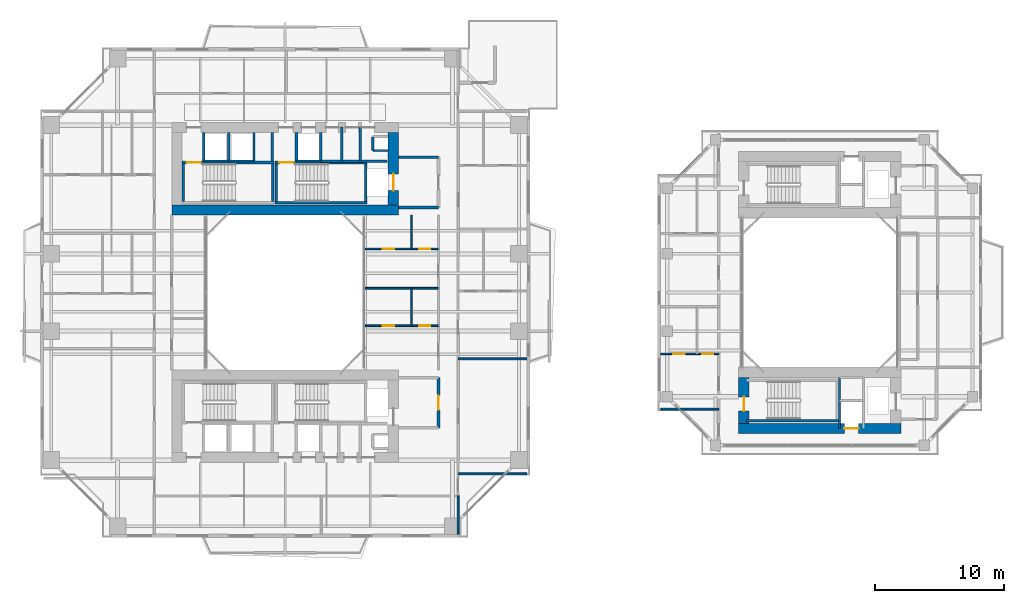
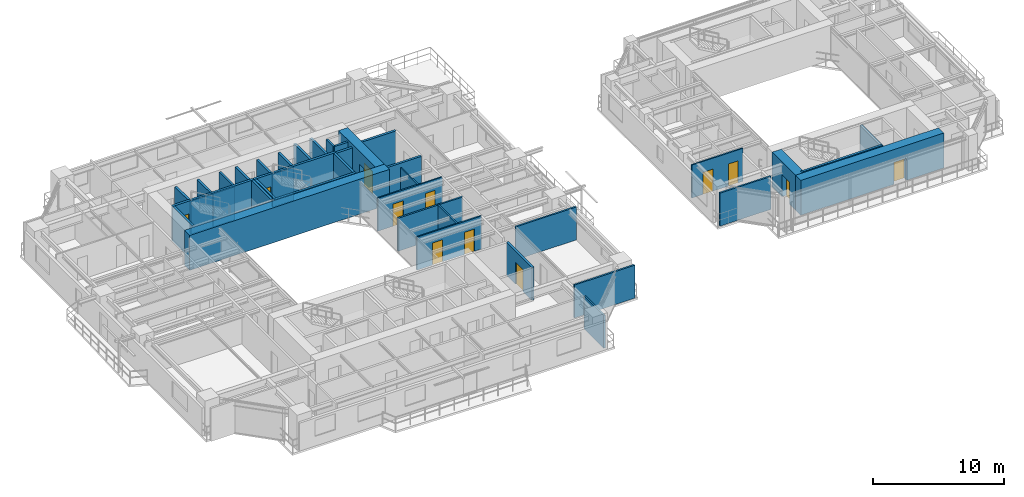
# One storey, part 14 of 23: 40 walls, 12 doors, 12 openings.
"""IFC4 building model written with IfcOpenShell, lengths in metres."""

from ifc_helpers import new_model, si_unit, direction, frame, frame_2d, origin, place, context, subcontext, project, spatial, rectangle, extrude, source, transform, mapped, material, layer, layer_set, type_object, element, fill, save


model = new_model("IFC4")

# Units and contexts
model_context = context("Model", 3, precision=1e-05, world=origin(), true_north=direction((0.0, 1.0)))
body_context = subcontext(model_context, "Body", "Model", "MODEL_VIEW")
ifc_project = project(units=[si_unit("LENGTHUNIT", "METRE"), si_unit("AREAUNIT", "SQUARE_METRE"), si_unit("VOLUMEUNIT", "CUBIC_METRE"), si_unit("PLANEANGLEUNIT", "RADIAN"), si_unit("MASSUNIT", "GRAM", prefix="KILO"), si_unit("THERMODYNAMICTEMPERATUREUNIT", "KELVIN"), si_unit("POWERUNIT", "WATT")], contexts=[model_context])

# Site, building, storey
site_placement = place(None, origin())
site = spatial("IfcSite", under=ifc_project, at=site_placement, CompositionType="ELEMENT")
building_placement = place(site_placement, origin())
building = spatial("IfcBuilding", under=site, at=building_placement, Name="Qiaomeng Ring Towers", CompositionType="ELEMENT")
storey_placement = place(building_placement, frame((0.0, 0.0, 82.75)))
storey = spatial("IfcBuildingStorey", under=building, at=storey_placement, Name="L23", CompositionType="ELEMENT", Elevation=82.75)

# Walls
ifc_material_1 = material(Name="Autoclaved aerated concrete block", Category="concrete")
ifc_layer_1 = layer(ifc_material_1, 0.199951171875, Name="Autoclaved aerated concrete block")
ifc_layer_set_1 = layer_set([ifc_layer_1], Name="Autoclaved aerated concrete block")
wall_type_1 = type_object("IfcWallType", Name="ARC-WL-PW1", PredefinedType="PARTITIONING", material=ifc_layer_set_1)
for number, where, z_axis, x_axis, name in (
    (1, (27.800048828125, 29.60009765625, 0.0), (0.0, 0.0, 1.0), (1.0, 0.0, 0.0), "L23 Interior Wall PW1"),
    (2, (27.800048828125, 33.5, 0.0), (0.0, 0.0, 1.0), (1.0, 0.0, 0.0), "L23 Interior Wall PW1"),
):
    element("IfcWall", number, at=place(storey_placement, frame(where, z_axis=z_axis, x_axis=x_axis)), inside=storey, type_object=wall_type_1, Name=name, PredefinedType="PARTITIONING", context=body_context, shape_type="SweptSolid", body=[
        extrude(rectangle(XDim=3.099853515625, YDim=0.199951171875, at=frame_2d((1.5498046875, 0.0))), origin(), (0.0, 0.0, 1.0), 3.070068359375),
    ])

# Wall, opening, door
wall_1_placement = place(storey_placement, frame((30.89990234375, 12.5, 0.0), z_axis=(0.0, 0.0, 1.0), x_axis=(0.0, 1.0, 0.0)))
wall_1 = element("IfcWall", 3, at=wall_1_placement, inside=storey, type_object=wall_type_1, Name="L23 Interior Wall PW1", PredefinedType="PARTITIONING", context=body_context, shape_type="SweptSolid", body=[
    extrude(rectangle(XDim=3.89990234375, YDim=0.199951171875, at=frame_2d((1.949951171875, 0.0))), origin(), (0.0, 0.0, 1.0), 3.070068359375),
])
opening_1_placement = place(wall_1_placement, frame((1.39990234375, 0.0, 0.0)))
opening_1 = element("IfcOpeningElement", 4, at=opening_1_placement, cuts=wall_1, Name="Opening FD3", PredefinedType="OPENING", context=body_context, shape_type="SweptSolid", body=[
    extrude(rectangle(XDim=1.10009765625, YDim=2.050048828125, at=frame_2d((0.550048828125, 1.02490234375))), frame((0.0, 0.10986328125, 0.0), z_axis=(0.0, -1.0, 0.0), x_axis=(1.0, 0.0, 0.0)), (0.0, 0.0, 1.0), 0.219970703125),
])
ifc_material_2 = material(Name="Galvanised steel", Category="steel")
door_type_1 = type_object("IfcDoorType", Name="ARC-DR-FD3", OperationType="NOTDEFINED", PredefinedType="DOOR", material=ifc_material_2)
shared_shape_1 = source(origin(), body_context, "Body", "SweptSolid", [
    extrude(rectangle(XDim=1.10009765625, YDim=2.050048828125, at=frame_2d((0.550048828125, 1.02490234375))), frame((0.0, 0.02490234375, 0.0), z_axis=(0.0, -1.0, 0.0), x_axis=(1.0, 0.0, 0.0)), (0.0, 0.0, 1.0), 0.050048828125),
])
door_1_placement = place(opening_1_placement, origin())
door_1 = element("IfcDoor", 5, at=door_1_placement, inside=storey, type_object=door_type_1, Name="L23 South FF Lobby Door", OperationType="SINGLE_SWING_RIGHT", OverallHeight=2.050048828125, OverallWidth=1.10009765625, PredefinedType="DOOR", context=body_context, shape_type="MappedRepresentation", body=[
    mapped(shared_shape_1, transform((0.0, 0.0, 0.0), x_axis=(1.0, 0.0, 0.0), y_axis=(0.0, 1.0, 0.0), z_axis=(0.0, 0.0, 1.0), scale=1.0)),
])
fill(opening_1, door_1)

# Walls
for number, where, z_axis, x_axis, name in (
    (6, (12.679931640625, 33.18994140625, 0.0), (0.0, 0.0, 1.0), (0.0, 1.0, 0.0), "L23 Interior Wall PW1"),
    (7, (18.0, 33.18994140625, 0.0), (0.0, 0.0, 1.0), (0.0, 1.0, 0.0), "L23 Interior Wall PW1"),
    (8, (19.8798828125, 33.18994140625, 0.0), (0.0, 0.0, 1.0), (0.0, 1.0, 0.0), "L23 Interior Wall PW1"),
):
    element("IfcWall", number, at=place(storey_placement, frame(where, z_axis=z_axis, x_axis=x_axis)), inside=storey, type_object=wall_type_1, Name=name, PredefinedType="PARTITIONING", context=body_context, shape_type="SweptSolid", body=[
        extrude(rectangle(XDim=2.2099609375, YDim=0.199951171875, at=frame_2d((1.10498046875, 0.0))), origin(), (0.0, 0.0, 1.0), 3.070068359375),
    ])
wall_2_placement = place(storey_placement, frame((24.820068359375, 33.199951171875, 0.0), z_axis=(0.0, 0.0, 1.0), x_axis=(0.0, 1.0, 0.0)))
element("IfcWall", 9, at=wall_2_placement, inside=storey, type_object=wall_type_1, Name="L23 Interior Wall PW1", PredefinedType="PARTITIONING", context=body_context, shape_type="SweptSolid", body=[
    extrude(rectangle(XDim=2.650146484375, YDim=0.199951171875, at=frame_2d((1.3251953125, 0.0))), origin(), (0.0, 0.0, 1.0), 3.070068359375),
])
wall_3_placement = place(storey_placement, frame((21.75, 33.199951171875, 0.0), z_axis=(0.0, 0.0, 1.0), x_axis=(0.0, 1.0, 0.0)))
element("IfcWall", 10, at=wall_3_placement, inside=storey, type_object=wall_type_1, Name="L23 Interior Wall PW1", PredefinedType="PARTITIONING", context=body_context, shape_type="SweptSolid", body=[
    extrude(rectangle(XDim=2.199951171875, YDim=0.199951171875, at=frame_2d((1.10009765625, 0.0))), origin(), (0.0, 0.0, 1.0), 3.070068359375),
])
wall_4_placement = place(storey_placement, frame((23.39990234375, 33.199951171875, 0.0), z_axis=(0.0, 0.0, 1.0), x_axis=(0.0, 1.0, 0.0)))
element("IfcWall", 11, at=wall_4_placement, inside=storey, type_object=wall_type_1, Name="L23 Interior Wall PW1", PredefinedType="PARTITIONING", context=body_context, shape_type="SweptSolid", body=[
    extrude(rectangle(XDim=2.650146484375, YDim=0.199951171875, at=frame_2d((1.3251953125, 0.0))), origin(), (0.0, 0.0, 1.0), 3.070068359375),
])
wall_5_placement = place(storey_placement, frame((21.75, 33.199951171875, 0.0), z_axis=(0.0, 0.0, 1.0), x_axis=(1.0, 0.0, 0.0)))
element("IfcWall", 12, at=wall_5_placement, inside=storey, type_object=wall_type_1, Name="L23 Interior Wall PW1", PredefinedType="PARTITIONING", context=body_context, shape_type="SweptSolid", body=[
    extrude(rectangle(XDim=5.169921875, YDim=0.199951171875, at=frame_2d((2.5849609375, 0.0))), origin(), (0.0, 0.0, 1.0), 3.070068359375),
])
ifc_material_3 = material(Name="Gypsum fireboard steel-stud partition", Category="steel")
ifc_layer_2 = layer(ifc_material_3, 0.14990234375, Name="Gypsum fireboard steel-stud partition")
ifc_layer_set_2 = layer_set([ifc_layer_2], Name="Gypsum fireboard steel-stud partition")
wall_type_2 = type_object("IfcWallType", Name="ARC-WL-PW3", PredefinedType="PARTITIONING", material=ifc_layer_set_2)
wall_6_placement = place(storey_placement, frame((32.419921875, 4.25, 0.0), z_axis=(0.0, 0.0, 1.0), x_axis=(0.0, 1.0, 0.0)))
element("IfcWall", 13, at=wall_6_placement, inside=storey, type_object=wall_type_2, Name="L23 Interior Wall PW3", PredefinedType="PARTITIONING", context=body_context, shape_type="SweptSolid", body=[
    extrude(rectangle(XDim=2.9599609375, YDim=0.14990234375, at=frame_2d((1.47998046875, 0.0))), origin(), (0.0, 0.0, 1.0), 3.070068359375),
])
for number, where, z_axis, x_axis, name in (
    (14, (32.419921875, 8.919921875, 0.0), (0.0, 0.0, 1.0), (1.0, 0.0, 0.0), "L23 Interior Wall PW3"),
    (15, (32.419921875, 17.85009765625, 0.0), (0.0, 0.0, 1.0), (1.0, 0.0, 0.0), "L23 Interior Wall PW3"),
):
    element("IfcWall", number, at=place(storey_placement, frame(where, z_axis=z_axis, x_axis=x_axis)), inside=storey, type_object=wall_type_2, Name=name, PredefinedType="PARTITIONING", context=body_context, shape_type="SweptSolid", body=[
        extrude(rectangle(XDim=5.330078125, YDim=0.14990234375, at=frame_2d((2.6650390625, 0.0))), origin(), (0.0, 0.0, 1.0), 3.070068359375),
    ])
wall_7_placement = place(storey_placement, frame((25.219970703125, 23.330078125, 0.0), z_axis=(0.0, 0.0, 1.0), x_axis=(1.0, 0.0, 0.0)))
element("IfcWall", 16, at=wall_7_placement, inside=storey, type_object=wall_type_2, Name="L23 Interior Wall PW3", PredefinedType="PARTITIONING", context=body_context, shape_type="SweptSolid", body=[
    extrude(rectangle(XDim=5.679931640625, YDim=0.14990234375, at=frame_2d((2.83984375, 0.0))), origin(), (0.0, 0.0, 1.0), 3.070068359375),
])
wall_8_placement = place(storey_placement, frame((48.14990234375, 13.949951171875, 0.0), z_axis=(0.0, 0.0, 1.0), x_axis=(1.0, 0.0, 0.0)))
element("IfcWall", 17, at=wall_8_placement, inside=storey, type_object=wall_type_2, Name="L23 Interior Wall PW3", PredefinedType="PARTITIONING", context=body_context, shape_type="SweptSolid", body=[
    extrude(rectangle(XDim=4.5, YDim=0.14990234375, at=frame_2d((2.25, 0.0))), origin(), (0.0, 0.0, 1.0), 3.070068359375),
])

# Wall, openings, doors
ifc_material_4 = material(Name="Moisture-resistant gypsum steel-stud partition", Category="steel")
ifc_layer_3 = layer(ifc_material_4, 0.1201171875, Name="Moisture-resistant gypsum steel-stud partition")
ifc_layer_set_3 = layer_set([ifc_layer_3], Name="Moisture-resistant gypsum steel-stud partition")
wall_type_3 = type_object("IfcWallType", Name="ARC-WL-PW4", PredefinedType="PLUMBINGWALL", material=ifc_layer_set_3)
wall_9_placement = place(storey_placement, frame((25.219970703125, 20.419921875, 0.0), z_axis=(0.0, 0.0, 1.0), x_axis=(1.0, 0.0, 0.0)))
wall_9 = element("IfcWall", 18, at=wall_9_placement, inside=storey, type_object=wall_type_3, Name="L23 Interior Wall PW4", PredefinedType="PLUMBINGWALL", context=body_context, shape_type="SweptSolid", body=[
    extrude(rectangle(XDim=5.679931640625, YDim=0.1201171875, at=frame_2d((2.83984375, 0.0))), origin(), (0.0, 0.0, 1.0), 3.070068359375),
])
opening_2_placement = place(wall_9_placement, frame((1.35009765625, 0.0, 0.0)))
opening_2 = element("IfcOpeningElement", 19, at=opening_2_placement, cuts=wall_9, Name="Opening ID1", PredefinedType="OPENING", context=body_context, shape_type="SweptSolid", body=[
    extrude(rectangle(XDim=0.89990234375, YDim=2.050048828125, at=frame_2d((0.449951171875, 1.02490234375))), frame((0.0, 0.070068359375, 0.0), z_axis=(0.0, -1.0, 0.0), x_axis=(1.0, 0.0, 0.0)), (0.0, 0.0, 1.0), 0.14013671875),
])
opening_3_placement = place(wall_9_placement, frame((4.195068359375, 0.0, 0.0)))
opening_3 = element("IfcOpeningElement", 20, at=opening_3_placement, cuts=wall_9, Name="Opening ID2", PredefinedType="OPENING", context=body_context, shape_type="SweptSolid", body=[
    extrude(rectangle(XDim=0.85009765625, YDim=2.050048828125, at=frame_2d((0.425048828125, 1.02490234375))), frame((0.0, 0.070068359375, 0.0), z_axis=(0.0, -1.0, 0.0), x_axis=(1.0, 0.0, 0.0)), (0.0, 0.0, 1.0), 0.14013671875),
])
ifc_material_5 = material(Name="Moisture-resistant engineered timber", Category="wood")
door_type_2 = type_object("IfcDoorType", Name="ARC-DR-ID2", OperationType="NOTDEFINED", PredefinedType="DOOR", material=ifc_material_5)
shared_shape_2 = source(origin(), body_context, "Body", "SweptSolid", [
    extrude(rectangle(XDim=0.85009765625, YDim=2.050048828125, at=frame_2d((0.425048828125, 1.02490234375))), frame((0.0, 0.02490234375, 0.0), z_axis=(0.0, -1.0, 0.0), x_axis=(1.0, 0.0, 0.0)), (0.0, 0.0, 1.0), 0.050048828125),
])
door_2_placement = place(opening_3_placement, origin())
door_2 = element("IfcDoor", 21, at=door_2_placement, inside=storey, type_object=door_type_2, Name="L23 Door ID2", OperationType="SINGLE_SWING_RIGHT", OverallHeight=2.050048828125, OverallWidth=0.85009765625, PredefinedType="DOOR", context=body_context, shape_type="MappedRepresentation", body=[
    mapped(shared_shape_2, transform((0.0, 0.0, 0.0), x_axis=(1.0, 0.0, 0.0), y_axis=(0.0, 1.0, 0.0), z_axis=(0.0, 0.0, 1.0), scale=1.0)),
])
fill(opening_3, door_2)
ifc_material_6 = material(Name="Engineered oak timber", Category="wood")
door_type_3 = type_object("IfcDoorType", Name="ARC-DR-ID1", OperationType="NOTDEFINED", PredefinedType="DOOR", material=ifc_material_6)
shared_shape_3 = source(origin(), body_context, "Body", "SweptSolid", [
    extrude(rectangle(XDim=0.89990234375, YDim=2.050048828125, at=frame_2d((0.449951171875, 1.02490234375))), frame((0.0, 0.02490234375, 0.0), z_axis=(0.0, -1.0, 0.0), x_axis=(1.0, 0.0, 0.0)), (0.0, 0.0, 1.0), 0.050048828125),
])
door_3_placement = place(opening_2_placement, origin())
door_3 = element("IfcDoor", 22, at=door_3_placement, inside=storey, type_object=door_type_3, Name="L23 Door ID1", OperationType="SINGLE_SWING_LEFT", OverallHeight=2.050048828125, OverallWidth=0.89990234375, PredefinedType="DOOR", context=body_context, shape_type="MappedRepresentation", body=[
    mapped(shared_shape_3, transform((0.0, 0.0, 0.0), x_axis=(1.0, 0.0, 0.0), y_axis=(0.0, 1.0, 0.0), z_axis=(0.0, 0.0, 1.0), scale=1.0)),
])
fill(opening_2, door_3)

# Wall
wall_10_placement = place(storey_placement, frame((28.800048828125, 20.419921875, 0.0), z_axis=(0.0, 0.0, 1.0), x_axis=(0.0, 1.0, 0.0)))
element("IfcWall", 23, at=wall_10_placement, inside=storey, type_object=wall_type_3, Name="L23 Interior Wall PW4", PredefinedType="PLUMBINGWALL", context=body_context, shape_type="SweptSolid", body=[
    extrude(rectangle(XDim=2.91015625, YDim=0.1201171875, at=frame_2d((1.455078125, 0.0))), origin(), (0.0, 0.0, 1.0), 3.070068359375),
])

# Wall, openings, doors
wall_11_placement = place(storey_placement, frame((25.219970703125, 26.389892578125, 0.0), z_axis=(0.0, 0.0, 1.0), x_axis=(1.0, 0.0, 0.0)))
wall_11 = element("IfcWall", 24, at=wall_11_placement, inside=storey, type_object=wall_type_3, Name="L23 Interior Wall PW4", PredefinedType="PLUMBINGWALL", context=body_context, shape_type="SweptSolid", body=[
    extrude(rectangle(XDim=5.679931640625, YDim=0.1201171875, at=frame_2d((2.83984375, 0.0))), origin(), (0.0, 0.0, 1.0), 3.070068359375),
])
opening_4_placement = place(wall_11_placement, frame((1.35009765625, 0.0, 0.0)))
opening_4 = element("IfcOpeningElement", 25, at=opening_4_placement, cuts=wall_11, Name="Opening ID1", PredefinedType="OPENING", context=body_context, shape_type="SweptSolid", body=[
    extrude(rectangle(XDim=0.89990234375, YDim=2.050048828125, at=frame_2d((0.449951171875, 1.02490234375))), frame((0.0, 0.070068359375, 0.0), z_axis=(0.0, -1.0, 0.0), x_axis=(1.0, 0.0, 0.0)), (0.0, 0.0, 1.0), 0.14013671875),
])
opening_5_placement = place(wall_11_placement, frame((4.195068359375, 0.0, 0.0)))
opening_5 = element("IfcOpeningElement", 26, at=opening_5_placement, cuts=wall_11, Name="Opening ID2", PredefinedType="OPENING", context=body_context, shape_type="SweptSolid", body=[
    extrude(rectangle(XDim=0.85009765625, YDim=2.050048828125, at=frame_2d((0.425048828125, 1.02490234375))), frame((0.0, 0.070068359375, 0.0), z_axis=(0.0, -1.0, 0.0), x_axis=(1.0, 0.0, 0.0)), (0.0, 0.0, 1.0), 0.14013671875),
])
door_4_placement = place(opening_5_placement, origin())
door_4 = element("IfcDoor", 27, at=door_4_placement, inside=storey, type_object=door_type_2, Name="L23 Door ID2", OperationType="SINGLE_SWING_RIGHT", OverallHeight=2.050048828125, OverallWidth=0.85009765625, PredefinedType="DOOR", context=body_context, shape_type="MappedRepresentation", body=[
    mapped(shared_shape_2, transform((0.0, 0.0, 0.0), x_axis=(1.0, 0.0, 0.0), y_axis=(0.0, 1.0, 0.0), z_axis=(0.0, 0.0, 1.0), scale=1.0)),
])
fill(opening_5, door_4)
door_5_placement = place(opening_4_placement, origin())
door_5 = element("IfcDoor", 28, at=door_5_placement, inside=storey, type_object=door_type_3, Name="L23 Door ID1", OperationType="SINGLE_SWING_LEFT", OverallHeight=2.050048828125, OverallWidth=0.89990234375, PredefinedType="DOOR", context=body_context, shape_type="MappedRepresentation", body=[
    mapped(shared_shape_3, transform((0.0, 0.0, 0.0), x_axis=(1.0, 0.0, 0.0), y_axis=(0.0, 1.0, 0.0), z_axis=(0.0, 0.0, 1.0), scale=1.0)),
])
fill(opening_4, door_5)

# Wall
wall_12_placement = place(storey_placement, frame((28.800048828125, 26.389892578125, 0.0), z_axis=(0.0, 0.0, 1.0), x_axis=(0.0, 1.0, 0.0)))
element("IfcWall", 29, at=wall_12_placement, inside=storey, type_object=wall_type_3, Name="L23 Interior Wall PW4", PredefinedType="PLUMBINGWALL", context=body_context, shape_type="SweptSolid", body=[
    extrude(rectangle(XDim=2.610107421875, YDim=0.1201171875, at=frame_2d((1.30517578125, 0.0))), origin(), (0.0, 0.0, 1.0), 3.070068359375),
])

# Wall, openings, doors
wall_13_placement = place(storey_placement, frame((48.14990234375, 18.239990234375, 0.0), z_axis=(0.0, 0.0, 1.0), x_axis=(1.0, 0.0, 0.0)))
wall_13 = element("IfcWall", 30, at=wall_13_placement, inside=storey, type_object=wall_type_3, Name="L23 Interior Wall PW4", PredefinedType="PLUMBINGWALL", context=body_context, shape_type="SweptSolid", body=[
    extrude(rectangle(XDim=4.5, YDim=0.1201171875, at=frame_2d((2.25, 0.0))), origin(), (0.0, 0.0, 1.0), 3.070068359375),
])
opening_6_placement = place(wall_13_placement, frame((0.97509765625, 0.0, 0.0)))
opening_6 = element("IfcOpeningElement", 31, at=opening_6_placement, cuts=wall_13, Name="Opening ID1", PredefinedType="OPENING", context=body_context, shape_type="SweptSolid", body=[
    extrude(rectangle(XDim=0.89990234375, YDim=2.050048828125, at=frame_2d((0.449951171875, 1.02490234375))), frame((0.0, 0.070068359375, 0.0), z_axis=(0.0, -1.0, 0.0), x_axis=(1.0, 0.0, 0.0)), (0.0, 0.0, 1.0), 0.14013671875),
])
opening_7_placement = place(wall_13_placement, frame((3.22998046875, 0.0, 0.0)))
opening_7 = element("IfcOpeningElement", 32, at=opening_7_placement, cuts=wall_13, Name="Opening ID2", PredefinedType="OPENING", context=body_context, shape_type="SweptSolid", body=[
    extrude(rectangle(XDim=0.85009765625, YDim=2.050048828125, at=frame_2d((0.425048828125, 1.02490234375))), frame((0.0, 0.070068359375, 0.0), z_axis=(0.0, -1.0, 0.0), x_axis=(1.0, 0.0, 0.0)), (0.0, 0.0, 1.0), 0.14013671875),
])
door_6_placement = place(opening_7_placement, origin())
door_6 = element("IfcDoor", 33, at=door_6_placement, inside=storey, type_object=door_type_2, Name="L23 Door ID2", OperationType="SINGLE_SWING_RIGHT", OverallHeight=2.050048828125, OverallWidth=0.85009765625, PredefinedType="DOOR", context=body_context, shape_type="MappedRepresentation", body=[
    mapped(shared_shape_2, transform((0.0, 0.0, 0.0), x_axis=(1.0, 0.0, 0.0), y_axis=(0.0, 1.0, 0.0), z_axis=(0.0, 0.0, 1.0), scale=1.0)),
])
fill(opening_7, door_6)
door_7_placement = place(opening_6_placement, origin())
door_7 = element("IfcDoor", 34, at=door_7_placement, inside=storey, type_object=door_type_3, Name="L23 Door ID1", OperationType="SINGLE_SWING_LEFT", OverallHeight=2.050048828125, OverallWidth=0.89990234375, PredefinedType="DOOR", context=body_context, shape_type="MappedRepresentation", body=[
    mapped(shared_shape_3, transform((0.0, 0.0, 0.0), x_axis=(1.0, 0.0, 0.0), y_axis=(0.0, 1.0, 0.0), z_axis=(0.0, 0.0, 1.0), scale=1.0)),
])
fill(opening_6, door_7)

# Walls
ifc_material_7 = material(Name="Concrete C40", Category="concrete")
ifc_layer_4 = layer(ifc_material_7, 0.199951171875, Name="Concrete C40")
ifc_layer_set_4 = layer_set([ifc_layer_4], Name="Concrete C40")
wall_type_4 = type_object("IfcWallType", Name="STR-WL-STSHAFT", PredefinedType="SHEAR", material=ifc_layer_set_4)
wall_14_placement = place(storey_placement, frame((12.679931640625, 33.199951171875, 0.0), z_axis=(0.0, 0.0, 1.0), x_axis=(1.0, 0.0, 0.0)))
element("IfcWall", 35, at=wall_14_placement, inside=storey, type_object=wall_type_4, Name="L23 Lift LP5 Shaft Back Wall", PredefinedType="SHEAR", context=body_context, shape_type="SweptSolid", body=[
    extrude(rectangle(XDim=1.940185546875, YDim=0.179931640625, at=frame_2d((0.97021484375, 0.0))), origin(), (0.0, 0.0, 1.0), 3.070068359375),
])
wall_15_placement = place(storey_placement, frame((14.6201171875, 33.199951171875, 0.0), z_axis=(0.0, 0.0, 1.0), x_axis=(0.0, 1.0, 0.0)))
element("IfcWall", 36, at=wall_15_placement, inside=storey, type_object=wall_type_4, Name="L23 Lift LP5-LP3 Shaft Divider Wall", PredefinedType="SHEAR", context=body_context, shape_type="SweptSolid", body=[
    extrude(rectangle(XDim=2.199951171875, YDim=0.179931640625, at=frame_2d((1.10009765625, 0.0))), origin(), (0.0, 0.0, 1.0), 3.070068359375),
])
wall_16_placement = place(storey_placement, frame((25.800048828125, 34.02001953125, 0.0), z_axis=(0.0, 0.0, 1.0), x_axis=(0.0, 1.0, 0.0)))
element("IfcWall", 37, at=wall_16_placement, inside=storey, type_object=wall_type_4, Name="L23 Riser RSR1 West Shaft Wall N", PredefinedType="SHEAR", context=body_context, shape_type="SweptSolid", body=[
    extrude(rectangle(XDim=1.06005859375, YDim=0.179931640625, at=frame_2d((0.530029296875, 0.0))), origin(), (0.0, 0.0, 1.0), 3.070068359375),
])
wall_17_placement = place(storey_placement, frame((25.800048828125, 34.02001953125, 0.0), z_axis=(0.0, 0.0, 1.0), x_axis=(1.0, 0.0, 0.0)))
element("IfcWall", 38, at=wall_17_placement, inside=storey, type_object=wall_type_4, Name="L23 Riser RSR1 South Shaft Wall N", PredefinedType="SHEAR", context=body_context, shape_type="SweptSolid", body=[
    extrude(rectangle(XDim=1.199951171875, YDim=0.179931640625, at=frame_2d((0.60009765625, 0.0))), origin(), (0.0, 0.0, 1.0), 3.070068359375),
])
wall_18_placement = place(storey_placement, frame((14.6201171875, 33.199951171875, 0.0), z_axis=(0.0, 0.0, 1.0), x_axis=(1.0, 0.0, 0.0)))
element("IfcWall", 39, at=wall_18_placement, inside=storey, type_object=wall_type_4, Name="L23 Lift LP3 Shaft Back Wall", PredefinedType="SHEAR", context=body_context, shape_type="SweptSolid", body=[
    extrude(rectangle(XDim=1.9599609375, YDim=0.179931640625, at=frame_2d((0.97998046875, 0.0))), origin(), (0.0, 0.0, 1.0), 3.070068359375),
])
wall_19_placement = place(storey_placement, frame((16.580078125, 33.199951171875, 0.0), z_axis=(0.0, 0.0, 1.0), x_axis=(0.0, 1.0, 0.0)))
element("IfcWall", 40, at=wall_19_placement, inside=storey, type_object=wall_type_4, Name="L23 Lift LP3 East Shaft Wall", PredefinedType="SHEAR", context=body_context, shape_type="SweptSolid", body=[
    extrude(rectangle(XDim=2.199951171875, YDim=0.179931640625, at=frame_2d((1.10009765625, 0.0))), origin(), (0.0, 0.0, 1.0), 3.070068359375),
])
wall_20_placement = place(storey_placement, frame((19.8798828125, 33.199951171875, 0.0), z_axis=(0.0, 0.0, 1.0), x_axis=(1.0, 0.0, 0.0)))
element("IfcWall", 41, at=wall_20_placement, inside=storey, type_object=wall_type_4, Name="L23 Lift LP1 Shaft Back Wall", PredefinedType="SHEAR", context=body_context, shape_type="SweptSolid", body=[
    extrude(rectangle(XDim=1.8701171875, YDim=0.179931640625, at=frame_2d((0.93505859375, 0.0))), origin(), (0.0, 0.0, 1.0), 3.070068359375),
])
wall_21_placement = place(storey_placement, frame((62.02001953125, 12.449951171875, 0.0), z_axis=(0.0, 0.0, 1.0), x_axis=(0.0, 1.0, 0.0)))
element("IfcWall", 42, at=wall_21_placement, inside=storey, type_object=wall_type_4, Name="L23 Companion Lift Shaft West Wall S", PredefinedType="SHEAR", context=body_context, shape_type="SweptSolid", body=[
    extrude(rectangle(XDim=3.949951171875, YDim=0.179931640625, at=frame_2d((1.97509765625, 0.0))), origin(), (0.0, 0.0, 1.0), 3.070068359375),
])

# Wall, opening, door
wall_22_placement = place(storey_placement, frame((11.0, 33.090087890625, 0.0), z_axis=(0.0, 0.0, 1.0), x_axis=(1.0, 0.0, 0.0)))
wall_22 = element("IfcWall", 43, at=wall_22_placement, inside=storey, type_object=wall_type_4, Name="L23 Stair ST1 North Shaft Shear Wall", PredefinedType="SHEAR", context=body_context, shape_type="SweptSolid", body=[
    extrude(rectangle(XDim=7.14990234375, YDim=0.199951171875, at=frame_2d((3.574951171875, 0.0))), origin(), (0.0, 0.0, 1.0), 3.25),
])
opening_8_placement = place(wall_22_placement, frame((0.35009765625, 0.0, 0.0)))
opening_8 = element("IfcOpeningElement", 44, at=opening_8_placement, cuts=wall_22, Name="Opening FD3", PredefinedType="OPENING", context=body_context, shape_type="SweptSolid", body=[
    extrude(rectangle(XDim=1.10009765625, YDim=2.050048828125, at=frame_2d((0.550048828125, 1.02490234375))), frame((0.0, 0.10986328125, 0.0), z_axis=(0.0, -1.0, 0.0), x_axis=(1.0, 0.0, 0.0)), (0.0, 0.0, 1.0), 0.219970703125),
])
door_8_placement = place(opening_8_placement, origin())
door_8 = element("IfcDoor", 45, at=door_8_placement, inside=storey, type_object=door_type_1, Name="L23 Stair ST1 Exit Door", OperationType="SINGLE_SWING_RIGHT", OverallHeight=2.050048828125, OverallWidth=1.10009765625, PredefinedType="DOOR", context=body_context, shape_type="MappedRepresentation", body=[
    mapped(shared_shape_1, transform((0.0, 0.0, 0.0), x_axis=(1.0, 0.0, 0.0), y_axis=(0.0, 1.0, 0.0), z_axis=(0.0, 0.0, 1.0), scale=1.0)),
])
fill(opening_8, door_8)

# Walls
for number, where, z_axis, x_axis, name in (
    (46, (11.10009765625, 30.050048828125, 0.0), (0.0, 0.0, 1.0), (0.0, 1.0, 0.0), "L23 Stair ST1 West Shaft Shear Wall"),
    (47, (18.050048828125, 30.050048828125, 0.0), (0.0, 0.0, 1.0), (0.0, 1.0, 0.0), "L23 Stair ST1 East Shaft Shear Wall"),
):
    element("IfcWall", number, at=place(storey_placement, frame(where, z_axis=z_axis, x_axis=x_axis)), inside=storey, type_object=wall_type_4, Name=name, PredefinedType="SHEAR", context=body_context, shape_type="SweptSolid", body=[
        extrude(rectangle(XDim=2.93994140625, YDim=0.199951171875, at=frame_2d((1.469970703125, 0.0))), origin(), (0.0, 0.0, 1.0), 3.25),
    ])
wall_23_placement = place(storey_placement, frame((18.199951171875, 29.949951171875, 0.0), z_axis=(0.0, 0.0, 1.0), x_axis=(1.0, 0.0, 0.0)))
element("IfcWall", 48, at=wall_23_placement, inside=storey, type_object=wall_type_4, Name="L23 Stair ST2 South Shaft Shear Wall", PredefinedType="SHEAR", context=body_context, shape_type="SweptSolid", body=[
    extrude(rectangle(XDim=7.150146484375, YDim=0.199951171875, at=frame_2d((3.5751953125, 0.0))), origin(), (0.0, 0.0, 1.0), 3.25),
])

# Wall, opening, door
wall_24_placement = place(storey_placement, frame((18.199951171875, 33.090087890625, 0.0), z_axis=(0.0, 0.0, 1.0), x_axis=(1.0, 0.0, 0.0)))
wall_24 = element("IfcWall", 49, at=wall_24_placement, inside=storey, type_object=wall_type_4, Name="L23 Stair ST2 North Shaft Shear Wall", PredefinedType="SHEAR", context=body_context, shape_type="SweptSolid", body=[
    extrude(rectangle(XDim=7.150146484375, YDim=0.199951171875, at=frame_2d((3.5751953125, 0.0))), origin(), (0.0, 0.0, 1.0), 3.25),
])
opening_9_placement = place(wall_24_placement, frame((0.35009765625, 0.0, 0.0)))
opening_9 = element("IfcOpeningElement", 50, at=opening_9_placement, cuts=wall_24, Name="Opening FD3", PredefinedType="OPENING", context=body_context, shape_type="SweptSolid", body=[
    extrude(rectangle(XDim=1.10009765625, YDim=2.050048828125, at=frame_2d((0.550048828125, 1.02490234375))), frame((0.0, 0.10986328125, 0.0), z_axis=(0.0, -1.0, 0.0), x_axis=(1.0, 0.0, 0.0)), (0.0, 0.0, 1.0), 0.219970703125),
])
door_9_placement = place(opening_9_placement, origin())
door_9 = element("IfcDoor", 51, at=door_9_placement, inside=storey, type_object=door_type_1, Name="L23 Stair ST2 Exit Door", OperationType="SINGLE_SWING_RIGHT", OverallHeight=2.050048828125, OverallWidth=1.10009765625, PredefinedType="DOOR", context=body_context, shape_type="MappedRepresentation", body=[
    mapped(shared_shape_1, transform((0.0, 0.0, 0.0), x_axis=(1.0, 0.0, 0.0), y_axis=(0.0, 1.0, 0.0), z_axis=(0.0, 0.0, 1.0), scale=1.0)),
])
fill(opening_9, door_9)

# Walls
for number, where, z_axis, x_axis, name in (
    (52, (18.300048828125, 30.050048828125, 0.0), (0.0, 0.0, 1.0), (0.0, 1.0, 0.0), "L23 Stair ST2 West Shaft Shear Wall"),
    (53, (25.25, 30.050048828125, 0.0), (0.0, 0.0, 1.0), (0.0, 1.0, 0.0), "L23 Stair ST2 East Shaft Shear Wall"),
):
    element("IfcWall", number, at=place(storey_placement, frame(where, z_axis=z_axis, x_axis=x_axis)), inside=storey, type_object=wall_type_4, Name=name, PredefinedType="SHEAR", context=body_context, shape_type="SweptSolid", body=[
        extrude(rectangle(XDim=2.93994140625, YDim=0.199951171875, at=frame_2d((1.469970703125, 0.0))), origin(), (0.0, 0.0, 1.0), 3.25),
    ])
wall_25_placement = place(storey_placement, frame((54.800048828125, 13.06005859375, 0.0), z_axis=(0.0, 0.0, 1.0), x_axis=(1.0, 0.0, 0.0)))
element("IfcWall", 54, at=wall_25_placement, inside=storey, type_object=wall_type_4, Name="L23 Stair ST6 South Shaft Shear Wall", PredefinedType="SHEAR", context=body_context, shape_type="SweptSolid", body=[
    extrude(rectangle(XDim=7.14990234375, YDim=0.199951171875, at=frame_2d((3.574951171875, 0.0))), origin(), (0.0, 0.0, 1.0), 3.25),
])
ifc_material_8 = material(Name="Concrete C60", Category="concrete")
ifc_layer_5 = layer(ifc_material_8, 0.800048828125, Name="Concrete C60")
ifc_layer_set_5 = layer_set([ifc_layer_5], Name="Concrete C60")
wall_type_5 = type_object("IfcWallType", Name="STR-WL-SW1", PredefinedType="SHEAR", material=ifc_layer_set_5)
wall_26_placement = place(storey_placement, frame((10.199951171875, 29.39990234375, 0.0), z_axis=(0.0, 0.0, 1.0), x_axis=(1.0, 0.0, 0.0)))
element("IfcWall", 55, at=wall_26_placement, inside=storey, type_object=wall_type_5, Name="L23 T1NC south core shear wall", PredefinedType="SHEAR", context=body_context, shape_type="SweptSolid", body=[
    extrude(rectangle(XDim=17.60009765625, YDim=0.800048828125, at=frame_2d((8.800048828125, 0.0))), origin(), (0.0, 0.0, 1.0), 3.25),
])

# Wall, opening, door
wall_27_placement = place(storey_placement, frame((27.39990234375, 29.800048828125, 0.0), z_axis=(0.0, 0.0, 1.0), x_axis=(0.0, 1.0, 0.0)))
wall_27 = element("IfcWall", 56, at=wall_27_placement, inside=storey, type_object=wall_type_5, Name="L23 T1NC east core shear wall", PredefinedType="SHEAR", context=body_context, shape_type="SweptSolid", body=[
    extrude(rectangle(XDim=5.599853515625, YDim=0.800048828125, at=frame_2d((2.7998046875, 0.0))), origin(), (0.0, 0.0, 1.0), 3.25),
])
opening_10_placement = place(wall_27_placement, frame((1.10009765625, 0.0, 0.0)))
opening_10 = element("IfcOpeningElement", 57, at=opening_10_placement, cuts=wall_27, Name="Opening LD2", PredefinedType="OPENING", context=body_context, shape_type="SweptSolid", body=[
    extrude(rectangle(XDim=1.300048828125, YDim=2.050048828125, at=frame_2d((0.64990234375, 1.02490234375))), frame((0.0, 0.409912109375, 0.0), z_axis=(0.0, -1.0, 0.0), x_axis=(1.0, 0.0, 0.0)), (0.0, 0.0, 1.0), 0.820068359375),
])
ifc_material_9 = material(Name="Stainless steel 316", Category="steel")
door_type_4 = type_object("IfcDoorType", Name="ARC-DR-LD2", OperationType="NOTDEFINED", PredefinedType="DOOR", material=ifc_material_9)
shared_shape_4 = source(origin(), body_context, "Body", "SweptSolid", [
    extrude(rectangle(XDim=1.300048828125, YDim=2.050048828125, at=frame_2d((0.64990234375, 1.02490234375))), frame((0.0, 0.02490234375, 0.0), z_axis=(0.0, -1.0, 0.0), x_axis=(1.0, 0.0, 0.0)), (0.0, 0.0, 1.0), 0.050048828125),
])
door_10_placement = place(opening_10_placement, origin())
door_10 = element("IfcDoor", 58, at=door_10_placement, inside=storey, type_object=door_type_4, Name="L23 Firefighting Lift FL1 Landing Door", OperationType="SLIDING_TO_LEFT", OverallHeight=2.050048828125, OverallWidth=1.300048828125, PredefinedType="DOOR", context=body_context, shape_type="MappedRepresentation", body=[
    mapped(shared_shape_4, transform((0.0, 0.0, 0.0), x_axis=(1.0, 0.0, 0.0), y_axis=(0.0, 1.0, 0.0), z_axis=(0.0, 0.0, 1.0), scale=1.0)),
])
fill(opening_10, door_10)

wall_28_placement = place(storey_placement, frame((54.199951171875, 12.449951171875, 0.0), z_axis=(0.0, 0.0, 1.0), x_axis=(1.0, 0.0, 0.0)))
wall_28 = element("IfcWall", 59, at=wall_28_placement, inside=storey, type_object=wall_type_5, Name="L23 T2SC south core shear wall", PredefinedType="SHEAR", context=body_context, shape_type="SweptSolid", body=[
    extrude(rectangle(XDim=12.60009765625, YDim=0.800048828125, at=frame_2d((6.300048828125, 0.0))), origin(), (0.0, 0.0, 1.0), 3.25),
])
opening_11_placement = place(wall_28_placement, frame((8.199951171875, 0.0, 0.0)))
opening_11 = element("IfcOpeningElement", 60, at=opening_11_placement, cuts=wall_28, Name="Opening LD1", PredefinedType="OPENING", context=body_context, shape_type="SweptSolid", body=[
    extrude(rectangle(XDim=1.10009765625, YDim=2.050048828125, at=frame_2d((0.550048828125, 1.02490234375))), frame((0.0, 0.409912109375, 0.0), z_axis=(0.0, -1.0, 0.0), x_axis=(1.0, 0.0, 0.0)), (0.0, 0.0, 1.0), 0.820068359375),
])
door_type_5 = type_object("IfcDoorType", Name="ARC-DR-LD1", OperationType="NOTDEFINED", PredefinedType="DOOR", material=ifc_material_9)
door_11_placement = place(opening_11_placement, origin())
door_11 = element("IfcDoor", 61, at=door_11_placement, inside=storey, type_object=door_type_5, Name="L23 Companion Lift LP8 Landing Door", OperationType="SLIDING_TO_RIGHT", OverallHeight=2.050048828125, OverallWidth=1.10009765625, PredefinedType="DOOR", context=body_context, shape_type="MappedRepresentation", body=[
    mapped(shared_shape_1, transform((0.0, 0.0, 0.0), x_axis=(1.0, 0.0, 0.0), y_axis=(0.0, 1.0, 0.0), z_axis=(0.0, 0.0, 1.0), scale=1.0)),
])
fill(opening_11, door_11)

wall_29_placement = place(storey_placement, frame((54.60009765625, 12.85009765625, 0.0), z_axis=(0.0, 0.0, 1.0), x_axis=(0.0, 1.0, 0.0)))
wall_29 = element("IfcWall", 62, at=wall_29_placement, inside=storey, type_object=wall_type_5, Name="L23 T2SC west core shear wall", PredefinedType="SHEAR", context=body_context, shape_type="SweptSolid", body=[
    extrude(rectangle(XDim=3.5498046875, YDim=0.800048828125, at=frame_2d((1.77490234375, 0.0))), origin(), (0.0, 0.0, 1.0), 3.25),
])
opening_12_placement = place(wall_29_placement, frame((0.949951171875, 0.0, 0.0)))
opening_12 = element("IfcOpeningElement", 63, at=opening_12_placement, cuts=wall_29, Name="Opening FD3", PredefinedType="OPENING", context=body_context, shape_type="SweptSolid", body=[
    extrude(rectangle(XDim=1.10009765625, YDim=2.050048828125, at=frame_2d((0.550048828125, 1.02490234375))), frame((0.0, 0.409912109375, 0.0), z_axis=(0.0, -1.0, 0.0), x_axis=(1.0, 0.0, 0.0)), (0.0, 0.0, 1.0), 0.820068359375),
])
door_12_placement = place(opening_12_placement, origin())
door_12 = element("IfcDoor", 64, at=door_12_placement, inside=storey, type_object=door_type_1, Name="L23 Stair ST6 Exit Door", OperationType="SINGLE_SWING_RIGHT", OverallHeight=2.050048828125, OverallWidth=1.10009765625, PredefinedType="DOOR", context=body_context, shape_type="MappedRepresentation", body=[
    mapped(shared_shape_1, transform((0.0, 0.0, 0.0), x_axis=(1.0, 0.0, 0.0), y_axis=(0.0, 1.0, 0.0), z_axis=(0.0, 0.0, 1.0), scale=1.0)),
])
fill(opening_12, door_12)

save(model, "model.ifc")
